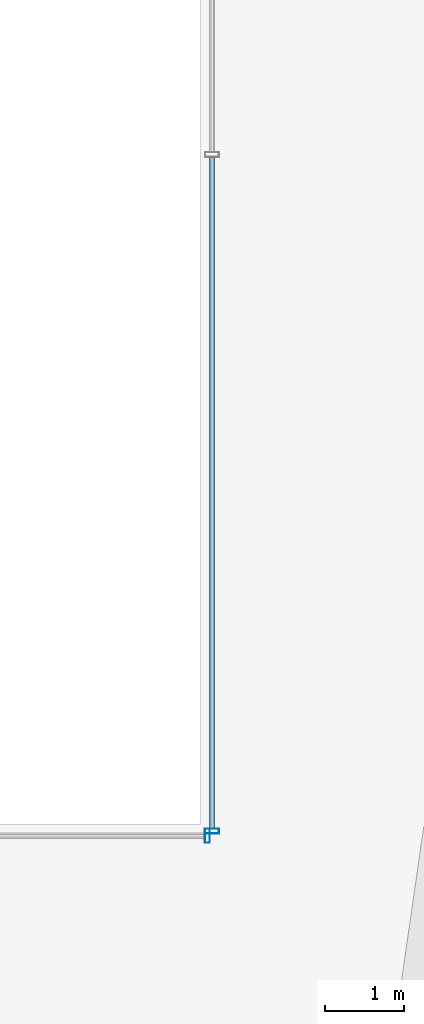
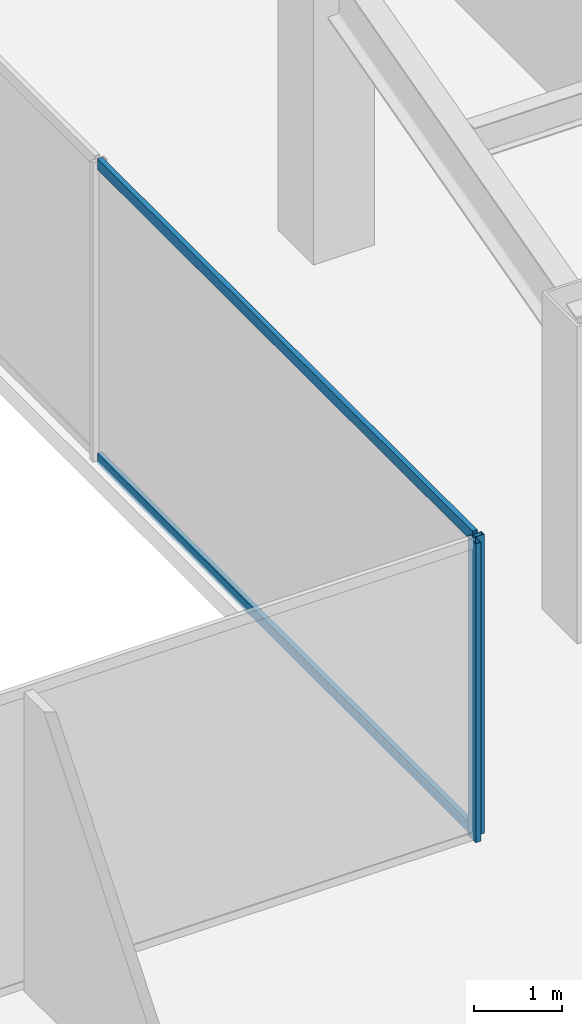
# One storey, part 18 of 47: 4 members, 2 elements without a shape of their own.
"""IFC4 building model written with IfcOpenShell, lengths in metres."""

from ifc_helpers import new_model, si_unit, direction, frame, origin, origin_2d, place, context, subcontext, project, spatial, hollow_rectangle, extrude, material, material_profile, profile_set, type_object, element, aggregate, save


model = new_model("IFC4")

# Units and contexts
model_context = context("Model", 3, precision=1e-05, world=origin(), true_north=direction((0.0, 1.0)))
body_context = subcontext(model_context, "Body", "Model", "MODEL_VIEW")
ifc_project = project(units=[si_unit("LENGTHUNIT", "METRE"), si_unit("AREAUNIT", "SQUARE_METRE"), si_unit("VOLUMEUNIT", "CUBIC_METRE"), si_unit("PLANEANGLEUNIT", "RADIAN"), si_unit("MASSUNIT", "GRAM", prefix="KILO")], contexts=[model_context])

# Site, building, storey
site_placement = place(None, origin())
site = spatial("IfcSite", under=ifc_project, at=site_placement, CompositionType="ELEMENT")
building_placement = place(site_placement, origin())
building = spatial("IfcBuilding", under=site, at=building_placement, Name="Saevonmaru Cultural Tower", CompositionType="ELEMENT")
storey_placement = place(building_placement, frame((0.0, 0.0, 51.60009765625)))
storey = spatial("IfcBuildingStorey", under=building, at=storey_placement, Name="L10", CompositionType="ELEMENT", Elevation=51.60009765625)

# Curtain wall, member
ifc_material = material(Name="Satin Bronze Anodised Aluminium", Category="aluminium")
curtain_wall_type = type_object("IfcCurtainWallType", Name="CW-ATR-GLZ", PredefinedType="NOTDEFINED", material=ifc_material)
curtain_wall_1_placement = place(storey_placement, origin())
curtain_wall_1 = element("IfcCurtainWall", 1, at=curtain_wall_1_placement, inside=storey, type_object=curtain_wall_type, Name="L10 Vertical Atrium Glazed Smoke Screen 1", PredefinedType="NOTDEFINED")
ifc_material_profile_1 = material_profile(ifc_material, hollow_rectangle(XDim=0.06494140625, YDim=0.179931640625, WallThickness=0.00390625, at=origin_2d()), Name="ALU-MULL-180x65x4")
ifc_profile_set_1 = profile_set([ifc_material_profile_1], Name="Satin Bronze Anodised Aluminium")
member_type_1 = type_object("IfcMemberType", Name="ML-CW-INT-180x65", PredefinedType="MULLION", material=ifc_profile_set_1)
member_1_placement = place(storey_placement, frame((35.889892578125, 20.85009765625, 0.0), z_axis=(0.0, 0.0, 1.0), x_axis=(1.0, 0.0, 0.0)))
member_1 = element("IfcMember", 2, at=member_1_placement, type_object=member_type_1, Name="CW-ATR-L10-1 mullion 2", PredefinedType="MULLION", context=body_context, shape_type="SweptSolid", body=[
    extrude(hollow_rectangle(XDim=0.06494140625, YDim=0.179931640625, WallThickness=0.00390625, at=origin_2d()), origin(), (0.0, 0.0, 1.0), 4.14990234375),
])
aggregate(curtain_wall_1, [member_1])

# Curtain wall, members
curtain_wall_2_placement = place(storey_placement, origin())
curtain_wall_2 = element("IfcCurtainWall", 3, at=curtain_wall_2_placement, inside=storey, type_object=curtain_wall_type, Name="L10 Vertical Atrium Glazed Smoke Screen 2", PredefinedType="NOTDEFINED")
member_2_placement = place(storey_placement, frame((35.949951171875, 20.909912109375, 0.0), z_axis=(0.0, 0.0, 1.0), x_axis=(0.0, 1.0, 0.0)))
member_2 = element("IfcMember", 4, at=member_2_placement, type_object=member_type_1, Name="CW-ATR-L10-2 mullion 1", PredefinedType="MULLION", context=body_context, shape_type="SweptSolid", body=[
    extrude(hollow_rectangle(XDim=0.06494140625, YDim=0.179931640625, WallThickness=0.00390625, at=origin_2d()), origin(), (0.0, 0.0, 1.0), 4.14990234375),
])
ifc_material_profile_2 = material_profile(ifc_material, hollow_rectangle(XDim=0.06494140625, YDim=0.14990234375, WallThickness=0.00390625, at=origin_2d()), Name="ALU-TRAN-150x65x4")
ifc_profile_set_2 = profile_set([ifc_material_profile_2], Name="Satin Bronze Anodised Aluminium")
member_type_2 = type_object("IfcMemberType", Name="TR-CW-INT-150x65", PredefinedType="USERDEFINED", material=ifc_profile_set_2)
member_3_placement = place(storey_placement, frame((35.949951171875, 20.9423828125, 0.032470703125), z_axis=(0.0, 1.0, 0.0), x_axis=(-1.0, 0.0, 0.0)))
member_3 = element("IfcMember", 5, at=member_3_placement, type_object=member_type_2, Name="CW-ATR-L10-2 transom 1.1", ObjectType="TRANSOM", PredefinedType="USERDEFINED", context=body_context, shape_type="SweptSolid", body=[
    extrude(hollow_rectangle(XDim=0.06494140625, YDim=0.14990234375, WallThickness=0.00390625, at=origin_2d()), origin(), (0.0, 0.0, 1.0), 8.525146484375),
])
member_4_placement = place(storey_placement, frame((35.949951171875, 20.9423828125, 4.117431640625), z_axis=(0.0, 1.0, 0.0), x_axis=(-1.0, 0.0, 0.0)))
member_4 = element("IfcMember", 6, at=member_4_placement, type_object=member_type_2, Name="CW-ATR-L10-2 transom 1.2", ObjectType="TRANSOM", PredefinedType="USERDEFINED", context=body_context, shape_type="SweptSolid", body=[
    extrude(hollow_rectangle(XDim=0.06494140625, YDim=0.14990234375, WallThickness=0.00390625, at=origin_2d()), origin(), (0.0, 0.0, 1.0), 8.525146484375),
])
aggregate(curtain_wall_2, [member_2, member_3, member_4])

save(model, "model.ifc")
